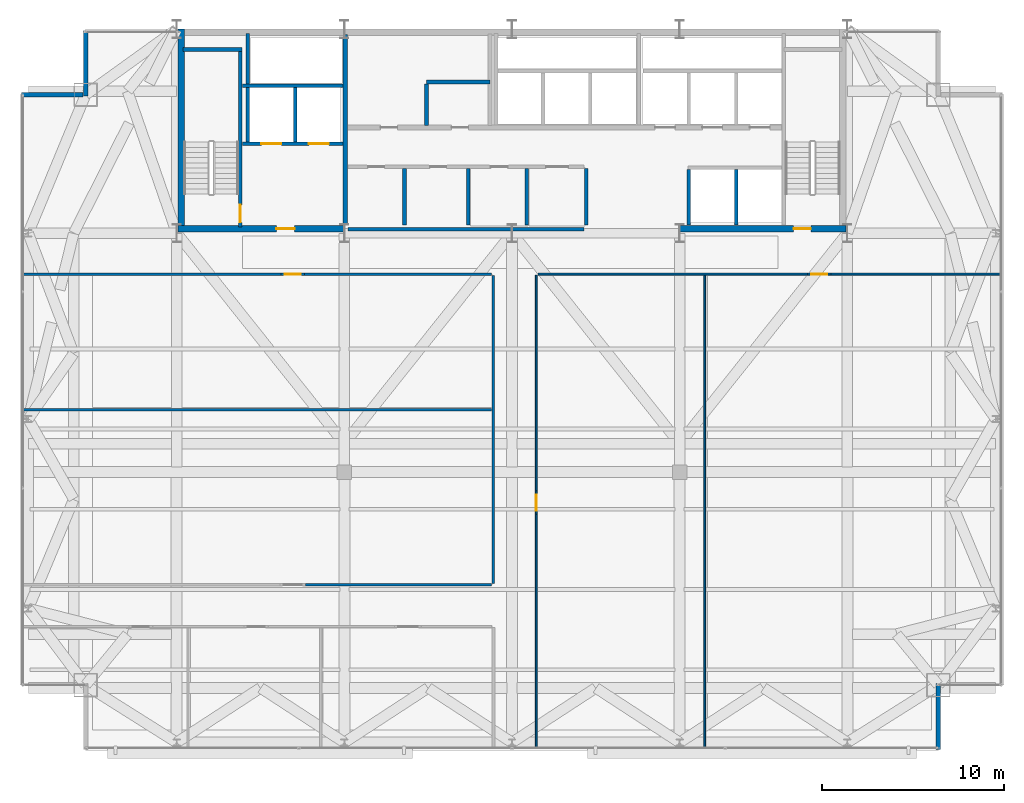
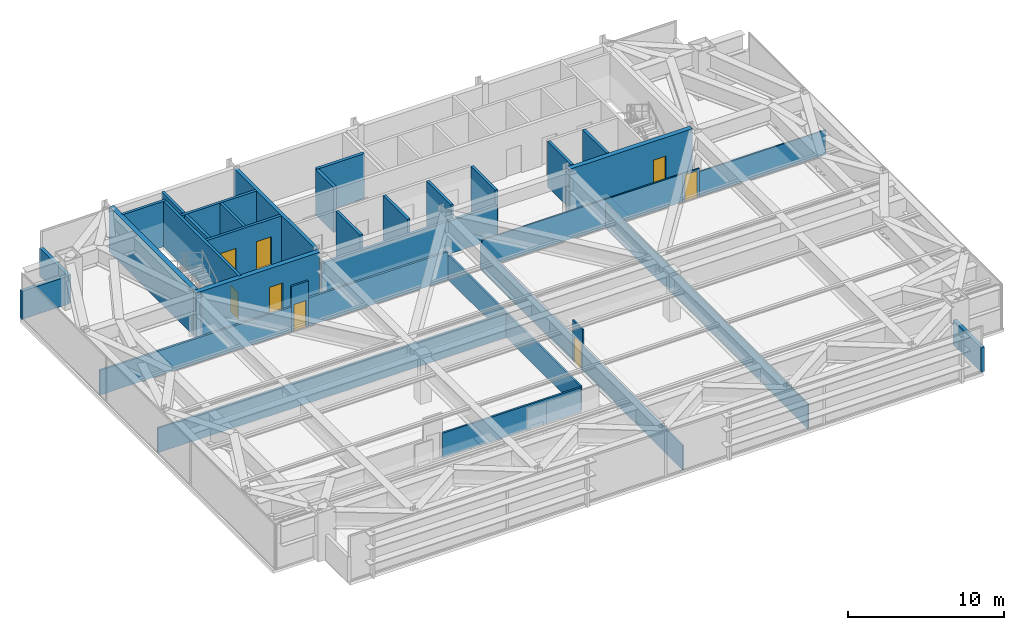
# One storey, part 23 of 26: 35 walls, 8 doors, 8 openings.
"""IFC4 building model written with IfcOpenShell, lengths in metres."""

from ifc_helpers import new_model, si_unit, direction, frame, frame_2d, origin, place, context, subcontext, project, spatial, rectangle, extrude, source, transform, mapped, material, layer, layer_set, type_object, type_shapes, element, fill, save


model = new_model("IFC4")

# Units and contexts
model_context = context("Model", 3, precision=1e-05, world=origin(), true_north=direction((0.0, 1.0)))
body_context = subcontext(model_context, "Body", "Model", "MODEL_VIEW")
ifc_project = project(units=[si_unit("LENGTHUNIT", "METRE"), si_unit("AREAUNIT", "SQUARE_METRE"), si_unit("VOLUMEUNIT", "CUBIC_METRE"), si_unit("PLANEANGLEUNIT", "RADIAN"), si_unit("MASSUNIT", "GRAM", prefix="KILO")], contexts=[model_context])

# Site, building, storey
site_placement = place(None, origin())
site = spatial("IfcSite", under=ifc_project, at=site_placement, CompositionType="ELEMENT")
building_placement = place(site_placement, origin())
building = spatial("IfcBuilding", under=site, at=building_placement, Name="Varnel Quay Broadcast Tower", CompositionType="ELEMENT")
storey_placement = place(building_placement, frame((0.0, 0.0, 196.0)))
storey = spatial("IfcBuildingStorey", under=building, at=storey_placement, Name="L48", CompositionType="ELEMENT", Elevation=196.0)

# Wall, opening, door
ifc_material_1 = material(Name="Concrete CSA A23.3 C50/60", Category="concrete")
ifc_layer_1 = layer(ifc_material_1, 0.199951171875, Name="Concrete CSA A23.3 C50/60")
ifc_layer_set_1 = layer_set([ifc_layer_1], Name="Concrete CSA A23.3 C50/60")
wall_type_1 = type_object("IfcWallType", Name="Wall_CoreShaftShear200", PredefinedType="SHEAR", material=ifc_layer_set_1)
wall_1_placement = place(storey_placement, frame((19.080078125, 35.949951171875, 0.0), z_axis=(0.0, 0.0, 1.0), x_axis=(0.0, 1.0, 0.0)))
wall_1 = element("IfcWall", 1, at=wall_1_placement, inside=storey, type_object=wall_type_1, Name="L48 Stair 1 East Structural Wall", PredefinedType="SHEAR", context=body_context, shape_type="SweptSolid", body=[
    extrude(rectangle(XDim=9.650146484375, YDim=0.199951171875, at=frame_2d((4.8251953125, 0.0))), origin(), (0.0, 0.0, 1.0), 3.550048828125),
])
opening_1_placement = place(wall_1_placement, frame((0.25, 0.0, 0.0)))
opening_1 = element("IfcOpeningElement", 2, at=opening_1_placement, cuts=wall_1, Name="Opening D-L48-S1", PredefinedType="OPENING", context=body_context, shape_type="SweptSolid", body=[
    extrude(rectangle(XDim=0.949951171875, YDim=2.10009765625, at=frame_2d((0.47509765625, 1.050048828125))), frame((0.0, 0.10986328125, 0.0), z_axis=(0.0, -1.0, 0.0), x_axis=(1.0, 0.0, 0.0)), (0.0, 0.0, 1.0), 0.219970703125),
])
ifc_material_2 = material(Name="Insulated Fire-Rated Hollow Steel Door", Category="steel")
door_type_1 = type_object("IfcDoorType", Name="Door_FireStair950", OperationType="NOTDEFINED", PredefinedType="DOOR", material=ifc_material_2)
shared_shape_1 = source(origin(), body_context, "Body", "SweptSolid", [
    extrude(rectangle(XDim=0.949951171875, YDim=2.10009765625, at=frame_2d((0.47509765625, 1.050048828125))), frame((0.0, 0.02490234375, 0.0), z_axis=(0.0, -1.0, 0.0), x_axis=(1.0, 0.0, 0.0)), (0.0, 0.0, 1.0), 0.050048828125),
])
type_shapes(door_type_1, [shared_shape_1])
door_1_placement = place(opening_1_placement, origin())
door_1 = element("IfcDoor", 3, at=door_1_placement, inside=storey, type_object=door_type_1, Name="L48 Stair 1 Fire Door", OperationType="SINGLE_SWING_LEFT", OverallHeight=2.10009765625, OverallWidth=0.949951171875, PredefinedType="DOOR", context=body_context, shape_type="MappedRepresentation", body=[
    mapped(shared_shape_1, transform((0.0, 0.0, 0.0), x_axis=(1.0, 0.0, 0.0), y_axis=(0.0, 1.0, 0.0), z_axis=(0.0, 0.0, 1.0), scale=1.0)),
])
fill(opening_1, door_1)

# Wall
wall_2_placement = place(storey_placement, frame((15.949951171875, 45.679931640625, 0.0), z_axis=(0.0, 0.0, 1.0), x_axis=(1.0, 0.0, 0.0)))
element("IfcWall", 4, at=wall_2_placement, inside=storey, type_object=wall_type_1, Name="L48 Stair 1 North Structural Wall", PredefinedType="SHEAR", context=body_context, shape_type="SweptSolid", body=[
    extrude(rectangle(XDim=3.22998046875, YDim=0.199951171875, at=frame_2d((1.614990234375, 0.0))), origin(), (0.0, 0.0, 1.0), 3.550048828125),
])

# Wall, openings, doors
wall_3_placement = place(storey_placement, frame((19.199951171875, 40.5, 0.0), z_axis=(0.0, 0.0, 1.0), x_axis=(1.0, 0.0, 0.0)))
wall_3 = element("IfcWall", 5, at=wall_3_placement, inside=storey, type_object=wall_type_1, Name="L48 Firefighter Lift Shaft Front Wall", PredefinedType="SHEAR", context=body_context, shape_type="SweptSolid", body=[
    extrude(rectangle(XDim=5.52001953125, YDim=0.199951171875, at=frame_2d((2.760009765625, 0.0))), origin(), (0.0, 0.0, 1.0), 3.550048828125),
])
opening_2_placement = place(wall_3_placement, frame((1.050048828125, 0.0, 0.0)))
opening_2 = element("IfcOpeningElement", 6, at=opening_2_placement, cuts=wall_3, Name="Opening LD-L48-FE1", PredefinedType="OPENING", context=body_context, shape_type="SweptSolid", body=[
    extrude(rectangle(XDim=1.10009765625, YDim=2.179931640625, at=frame_2d((0.550048828125, 1.08984375))), frame((0.0, 0.10986328125, 0.0), z_axis=(0.0, -1.0, 0.0), x_axis=(1.0, 0.0, 0.0)), (0.0, 0.0, 1.0), 0.219970703125),
])
opening_3_placement = place(wall_3_placement, frame((3.64990234375, 0.0, 0.0)))
opening_3 = element("IfcOpeningElement", 7, at=opening_3_placement, cuts=wall_3, Name="Opening LD-L48-FE2", PredefinedType="OPENING", context=body_context, shape_type="SweptSolid", body=[
    extrude(rectangle(XDim=1.10009765625, YDim=2.179931640625, at=frame_2d((0.550048828125, 1.08984375))), frame((0.0, 0.10986328125, 0.0), z_axis=(0.0, -1.0, 0.0), x_axis=(1.0, 0.0, 0.0)), (0.0, 0.0, 1.0), 0.219970703125),
])
ifc_material_3 = material(Name="Brushed Bronze-Stainless Lift Car & Sliding Doors", Category="steel")
door_type_2 = type_object("IfcDoorType", Name="Door_LiftLanding1100", OperationType="SLIDING_TO_LEFT", PredefinedType="DOOR", material=ifc_material_3)
shared_shape_2 = source(origin(), body_context, "Body", "SweptSolid", [
    extrude(rectangle(XDim=1.10009765625, YDim=2.179931640625, at=frame_2d((0.550048828125, 1.08984375))), frame((0.0, 0.02490234375, 0.0), z_axis=(0.0, -1.0, 0.0), x_axis=(1.0, 0.0, 0.0)), (0.0, 0.0, 1.0), 0.050048828125),
])
type_shapes(door_type_2, [shared_shape_2])
door_2_placement = place(opening_2_placement, frame((1.10009765625, 0.0, 0.0), z_axis=(0.0, 0.0, 1.0), x_axis=(-1.0, 0.0, 0.0)))
door_2 = element("IfcDoor", 8, at=door_2_placement, inside=storey, type_object=door_type_2, Name="L48 Firefighter Lift FE-01 Landing Door", OperationType="SLIDING_TO_LEFT", OverallHeight=2.179931640625, OverallWidth=1.10009765625, PredefinedType="DOOR", context=body_context, shape_type="MappedRepresentation", body=[
    mapped(shared_shape_2, transform((0.0, 0.0, 0.0), x_axis=(1.0, 0.0, 0.0), y_axis=(0.0, 1.0, 0.0), z_axis=(0.0, 0.0, 1.0), scale=1.0)),
])
fill(opening_2, door_2)
door_3_placement = place(opening_3_placement, frame((1.10009765625, 0.0, 0.0), z_axis=(0.0, 0.0, 1.0), x_axis=(-1.0, 0.0, 0.0)))
door_3 = element("IfcDoor", 9, at=door_3_placement, inside=storey, type_object=door_type_2, Name="L48 Firefighter Lift FE-02 Landing Door", OperationType="SLIDING_TO_RIGHT", OverallHeight=2.179931640625, OverallWidth=1.10009765625, PredefinedType="DOOR", context=body_context, shape_type="MappedRepresentation", body=[
    mapped(shared_shape_2, transform((0.0, 0.0, 0.0), x_axis=(1.0, 0.0, 0.0), y_axis=(0.0, 1.0, 0.0), z_axis=(0.0, 0.0, 1.0), scale=1.0)),
])
fill(opening_3, door_3)

# Walls
wall_4_placement = place(storey_placement, frame((19.199951171875, 43.699951171875, 0.0), z_axis=(0.0, 0.0, 1.0), x_axis=(1.0, 0.0, 0.0)))
element("IfcWall", 10, at=wall_4_placement, inside=storey, type_object=wall_type_1, Name="L48 Firefighter Lift Shaft Rear Wall", PredefinedType="SHEAR", context=body_context, shape_type="SweptSolid", body=[
    extrude(rectangle(XDim=5.52001953125, YDim=0.199951171875, at=frame_2d((2.760009765625, 0.0))), origin(), (0.0, 0.0, 1.0), 3.550048828125),
])
wall_5_placement = place(storey_placement, frame((22.10009765625, 40.60009765625, 0.0), z_axis=(0.0, 0.0, 1.0), x_axis=(0.0, 1.0, 0.0)))
element("IfcWall", 11, at=wall_5_placement, inside=storey, type_object=wall_type_1, Name="L48 Firefighter Lift Shaft Divider", PredefinedType="SHEAR", context=body_context, shape_type="SweptSolid", body=[
    extrude(rectangle(XDim=3.0, YDim=0.199951171875, at=frame_2d((1.5, 0.0))), origin(), (0.0, 0.0, 1.0), 3.550048828125),
])
wall_6_placement = place(storey_placement, frame((19.5, 40.60009765625, 0.0), z_axis=(0.0, 0.0, 1.0), x_axis=(0.0, 1.0, 0.0)))
element("IfcWall", 12, at=wall_6_placement, inside=storey, type_object=wall_type_1, Name="L48 Firefighter Lift Shaft West Wall", PredefinedType="SHEAR", context=body_context, shape_type="SweptSolid", body=[
    extrude(rectangle(XDim=5.949951171875, YDim=0.199951171875, at=frame_2d((2.97509765625, 0.0))), origin(), (0.0, 0.0, 1.0), 3.550048828125),
])
for number, where, z_axis, x_axis, name in (
    (13, (43.699951171875, 36.050048828125, 0.0), (0.0, 0.0, 1.0), (0.0, 1.0, 0.0), "L48 Express Lift Shaft West Wall"),
    (14, (46.300048828125, 36.050048828125, 0.0), (0.0, 0.0, 1.0), (0.0, 1.0, 0.0), "L48 Express Lift Shaft Divider"),
):
    element("IfcWall", number, at=place(storey_placement, frame(where, z_axis=z_axis, x_axis=x_axis)), inside=storey, type_object=wall_type_1, Name=name, PredefinedType="SHEAR", context=body_context, shape_type="SweptSolid", body=[
        extrude(rectangle(XDim=3.050048828125, YDim=0.199951171875, at=frame_2d((1.52490234375, 0.0))), origin(), (0.0, 0.0, 1.0), 3.550048828125),
    ])
ifc_layer_2 = layer(ifc_material_1, 0.25, Name="Concrete CSA A23.3 C50/60")
ifc_layer_set_2 = layer_set([ifc_layer_2], Name="Concrete CSA A23.3 C50/60")
wall_type_2 = type_object("IfcWallType", Name="Wall_CoreShaftShear250", PredefinedType="SHEAR", material=ifc_layer_set_2)
wall_7_placement = place(storey_placement, frame((24.85009765625, 36.050048828125, 0.0), z_axis=(0.0, 0.0, 1.0), x_axis=(0.0, 1.0, 0.0)))
element("IfcWall", 15, at=wall_7_placement, inside=storey, type_object=wall_type_2, Name="L48 Firefighting Lobby East Structural Wall", PredefinedType="SHEAR", context=body_context, shape_type="SweptSolid", body=[
    extrude(rectangle(XDim=10.449951171875, YDim=0.25, at=frame_2d((5.22509765625, 0.0))), origin(), (0.0, 0.0, 1.0), 3.550048828125),
])
ifc_layer_3 = layer(ifc_material_1, 0.35009765625, Name="Concrete CSA A23.3 C50/60")
ifc_layer_set_3 = layer_set([ifc_layer_3], Name="Concrete CSA A23.3 C50/60")
wall_type_3 = type_object("IfcWallType", Name="Wall_CoreShearInt350", PredefinedType="SHEAR", material=ifc_layer_set_3)
wall_8_placement = place(storey_placement, frame((15.844970703125, 35.669921875, 0.0), z_axis=(0.0, 0.0, 1.0), x_axis=(0.0, 1.0, 0.0)))
element("IfcWall", 16, at=wall_8_placement, inside=storey, type_object=wall_type_3, Name="L48 West Core Shear Wall", PredefinedType="SHEAR", context=body_context, shape_type="SweptSolid", body=[
    extrude(rectangle(XDim=11.130126953125, YDim=0.35009765625, at=frame_2d((5.56494140625, 0.0))), origin(), (0.0, 0.0, 1.0), 3.550048828125),
])

# Wall, opening, door
wall_9_placement = place(storey_placement, frame((15.669921875, 35.844970703125, 0.0), z_axis=(0.0, 0.0, 1.0), x_axis=(1.0, 0.0, 0.0)))
wall_9 = element("IfcWall", 17, at=wall_9_placement, inside=storey, type_object=wall_type_3, Name="L48 South-West Core Shear Wall", PredefinedType="SHEAR", context=body_context, shape_type="SweptSolid", body=[
    extrude(rectangle(XDim=9.130126953125, YDim=0.35009765625, at=frame_2d((4.56494140625, 0.0))), origin(), (0.0, 0.0, 1.0), 3.550048828125),
])
opening_4_placement = place(wall_9_placement, frame((5.39990234375, 0.0, 0.0)))
opening_4 = element("IfcOpeningElement", 18, at=opening_4_placement, cuts=wall_9, Name="Opening D-L48-FFL", PredefinedType="OPENING", context=body_context, shape_type="SweptSolid", body=[
    extrude(rectangle(XDim=1.0, YDim=2.10009765625, at=frame_2d((0.5, 1.050048828125))), frame((0.0, 0.18505859375, 0.0), z_axis=(0.0, -1.0, 0.0), x_axis=(1.0, 0.0, 0.0)), (0.0, 0.0, 1.0), 0.3701171875),
])
door_type_3 = type_object("IfcDoorType", Name="Door_FireLobby1000", OperationType="NOTDEFINED", PredefinedType="DOOR", material=ifc_material_2)
shared_shape_3 = source(origin(), body_context, "Body", "SweptSolid", [
    extrude(rectangle(XDim=1.0, YDim=2.10009765625, at=frame_2d((0.5, 1.050048828125))), frame((0.0, 0.02490234375, 0.0), z_axis=(0.0, -1.0, 0.0), x_axis=(1.0, 0.0, 0.0)), (0.0, 0.0, 1.0), 0.050048828125),
])
type_shapes(door_type_3, [shared_shape_3])
door_4_placement = place(opening_4_placement, origin())
door_4 = element("IfcDoor", 19, at=door_4_placement, inside=storey, type_object=door_type_3, Name="L48 Firefighting Lobby Door", OperationType="SINGLE_SWING_RIGHT", OverallHeight=2.10009765625, OverallWidth=1.0, PredefinedType="DOOR", context=body_context, shape_type="MappedRepresentation", body=[
    mapped(shared_shape_3, transform((0.0, 0.0, 0.0), x_axis=(1.0, 0.0, 0.0), y_axis=(0.0, 1.0, 0.0), z_axis=(0.0, 0.0, 1.0), scale=1.0)),
])
fill(opening_4, door_4)

wall_10_placement = place(storey_placement, frame((43.199951171875, 35.844970703125, 0.0), z_axis=(0.0, 0.0, 1.0), x_axis=(1.0, 0.0, 0.0)))
wall_10 = element("IfcWall", 20, at=wall_10_placement, inside=storey, type_object=wall_type_3, Name="L48 South-East Core Shear Wall", PredefinedType="SHEAR", context=body_context, shape_type="SweptSolid", body=[
    extrude(rectangle(XDim=9.130126953125, YDim=0.35009765625, at=frame_2d((4.56494140625, 0.0))), origin(), (0.0, 0.0, 1.0), 3.550048828125),
])
opening_5_placement = place(wall_10_placement, frame((6.25, 0.0, 0.0)))
opening_5 = element("IfcOpeningElement", 21, at=opening_5_placement, cuts=wall_10, Name="Opening D-L48-S2", PredefinedType="OPENING", context=body_context, shape_type="SweptSolid", body=[
    extrude(rectangle(XDim=0.949951171875, YDim=2.10009765625, at=frame_2d((0.47509765625, 1.050048828125))), frame((0.0, 0.18505859375, 0.0), z_axis=(0.0, -1.0, 0.0), x_axis=(1.0, 0.0, 0.0)), (0.0, 0.0, 1.0), 0.3701171875),
])
door_5_placement = place(opening_5_placement, origin())
door_5 = element("IfcDoor", 22, at=door_5_placement, inside=storey, type_object=door_type_1, Name="L48 Stair 2 Fire Door", OperationType="SINGLE_SWING_LEFT", OverallHeight=2.10009765625, OverallWidth=0.949951171875, PredefinedType="DOOR", context=body_context, shape_type="MappedRepresentation", body=[
    mapped(shared_shape_1, transform((0.0, 0.0, 0.0), x_axis=(1.0, 0.0, 0.0), y_axis=(0.0, 1.0, 0.0), z_axis=(0.0, 0.0, 1.0), scale=1.0)),
])
fill(opening_5, door_5)

# Walls
ifc_material_4 = material(Name="Precast Architectural Concrete C40/50", Category="concrete")
ifc_layer_4 = layer(ifc_material_4, 0.25, Name="Precast Architectural Concrete C40/50")
ifc_layer_set_4 = layer_set([ifc_layer_4], Name="Precast Architectural Concrete C40/50")
wall_type_4 = type_object("IfcWallType", Name="Wall_ExtTerrace250", PredefinedType="SOLIDWALL", material=ifc_layer_set_4)
wall_11_placement = place(storey_placement, frame((57.39990234375, 7.280029296875, 0.0), z_axis=(0.0, 0.0, 1.0), x_axis=(0.0, 1.0, 0.0)))
element("IfcWall", 23, at=wall_11_placement, inside=storey, type_object=wall_type_4, Name="L48 Mega-Column Notch Cladding Wall NSE2", PredefinedType="SOLIDWALL", context=body_context, shape_type="SweptSolid", body=[
    extrude(rectangle(XDim=3.599853515625, YDim=0.25, at=frame_2d((1.7998046875, 0.0))), origin(), (0.0, 0.0, 1.0), 1.925048828125),
])
wall_12_placement = place(storey_placement, frame((7.080078125, 43.199951171875, 0.0), z_axis=(0.0, 0.0, 1.0), x_axis=(1.0, 0.0, 0.0)))
element("IfcWall", 24, at=wall_12_placement, inside=storey, type_object=wall_type_4, Name="L48 Mega-Column Notch Cladding Wall NNW1", PredefinedType="SOLIDWALL", context=body_context, shape_type="SweptSolid", body=[
    extrude(rectangle(XDim=3.389892578125, YDim=0.25, at=frame_2d((1.69482421875, 0.0))), origin(), (0.0, 0.0, 1.0), 2.195068359375),
])
wall_13_placement = place(storey_placement, frame((10.60009765625, 43.1201171875, 0.0), z_axis=(0.0, 0.0, 1.0), x_axis=(0.0, 1.0, 0.0)))
element("IfcWall", 25, at=wall_13_placement, inside=storey, type_object=wall_type_4, Name="L48 Mega-Column Notch Cladding Wall NNW2", PredefinedType="SOLIDWALL", context=body_context, shape_type="SweptSolid", body=[
    extrude(rectangle(XDim=3.599853515625, YDim=0.25, at=frame_2d((1.7998046875, 0.0))), origin(), (0.0, 0.0, 1.0), 2.195068359375),
])
ifc_material_5 = material(Name="Concrete Blockwork Fire Enclosure C40/50", Category="masonry")
ifc_layer_5 = layer(ifc_material_5, 0.199951171875, Name="Concrete Blockwork Fire Enclosure C40/50")
ifc_layer_set_5 = layer_set([ifc_layer_5], Name="Concrete Blockwork Fire Enclosure C40/50")
wall_type_5 = type_object("IfcWallType", Name="Wall_FireShaft200", PredefinedType="SOLIDWALL", material=ifc_layer_set_5)
wall_14_placement = place(storey_placement, frame((25.0, 35.824951171875, 0.0), z_axis=(0.0, 0.0, 1.0), x_axis=(1.0, 0.0, 0.0)))
element("IfcWall", 26, at=wall_14_placement, inside=storey, type_object=wall_type_5, Name="L48 Accessible Universal Washroom Partition 1", PredefinedType="SOLIDWALL", context=body_context, shape_type="SweptSolid", body=[
    extrude(rectangle(XDim=12.949951171875, YDim=0.199951171875, at=frame_2d((6.47509765625, 0.0))), origin(), (0.0, 0.0, 1.0), 2.574951171875),
])
for number, where, z_axis, x_axis, name in (
    (27, (34.800048828125, 36.050048828125, 0.0), (0.0, 0.0, 1.0), (0.0, 1.0, 0.0), "L48 Broadcast First-Aid & Quiet Room Partition 5"),
    (28, (38.074951171875, 36.050048828125, 0.0), (0.0, 0.0, 1.0), (0.0, 1.0, 0.0), "L48 Zone Lighting Dimmer Room Partition 6"),
):
    element("IfcWall", number, at=place(storey_placement, frame(where, z_axis=z_axis, x_axis=x_axis)), inside=storey, type_object=wall_type_5, Name=name, PredefinedType="SOLIDWALL", context=body_context, shape_type="SweptSolid", body=[
        extrude(rectangle(XDim=3.099853515625, YDim=0.199951171875, at=frame_2d((1.5498046875, 0.0))), origin(), (0.0, 0.0, 1.0), 3.530029296875),
    ])
ifc_material_6 = material(Name="Steel-Stud Fire-Rated Acoustic Gypsum Partition Assembly", Category="steel")
ifc_layer_6 = layer(ifc_material_6, 0.10498046875, Name="Steel-Stud Fire-Rated Acoustic Gypsum Partition Assembly")
ifc_layer_set_6 = layer_set([ifc_layer_6], Name="Steel-Stud Fire-Rated Acoustic Gypsum Partition Assembly")
wall_type_6 = type_object("IfcWallType", Name="Wall_Partition105", PredefinedType="PARTITIONING", material=ifc_layer_set_6)
wall_15_placement = place(storey_placement, frame((44.580078125, 7.3798828125, 0.0), z_axis=(0.0, 0.0, 1.0), x_axis=(0.0, 1.0, 0.0)))
element("IfcWall", 29, at=wall_15_placement, inside=storey, type_object=wall_type_6, Name="L48 Media Tape Archive Store 6 Partition 25", PredefinedType="PARTITIONING", context=body_context, shape_type="SweptSolid", body=[
    extrude(rectangle(XDim=25.917236328125, YDim=0.10498046875, at=frame_2d((12.95849609375, 0.0))), origin(), (0.0, 0.0, 1.0), 1.925048828125),
])
wall_16_placement = place(storey_placement, frame((35.429931640625, 33.35009765625, 0.0), z_axis=(0.0, 0.0, 1.0), x_axis=(1.0, 0.0, 0.0)))
element("IfcWall", 30, at=wall_16_placement, inside=storey, type_object=wall_type_6, Name="L48 Media Tape Archive Store 6 Partition 26", PredefinedType="PARTITIONING", context=body_context, shape_type="SweptSolid", body=[
    extrude(rectangle(XDim=14.795166015625, YDim=0.10498046875, at=frame_2d((7.3974609375, 0.0))), origin(), (0.0, 0.0, 1.0), 2.195068359375),
])

# Wall, opening, door
wall_17_placement = place(storey_placement, frame((50.22509765625, 33.35009765625, 0.0), z_axis=(0.0, 0.0, 1.0), x_axis=(1.0, 0.0, 0.0)))
wall_17 = element("IfcWall", 31, at=wall_17_placement, inside=storey, type_object=wall_type_6, Name="L48 Lens & Rigging Store 7 Door Partition 27", PredefinedType="PARTITIONING", context=body_context, shape_type="SweptSolid", body=[
    extrude(rectangle(XDim=1.27978515625, YDim=0.10498046875, at=frame_2d((0.639892578125, 0.0))), origin(), (0.0, 0.0, 1.0), 2.195068359375),
])
opening_6_placement = place(wall_17_placement, frame((0.199951171875, 0.0, 0.0)))
opening_6 = element("IfcOpeningElement", 32, at=opening_6_placement, cuts=wall_17, Name="Opening D-L48-11", PredefinedType="OPENING", context=body_context, shape_type="SweptSolid", body=[
    extrude(rectangle(XDim=0.8798828125, YDim=2.06005859375, at=frame_2d((0.43994140625, 1.030029296875))), frame((0.0, 0.0625, 0.0), z_axis=(0.0, -1.0, 0.0), x_axis=(1.0, 0.0, 0.0)), (0.0, 0.0, 1.0), 0.125),
])
ifc_material_7 = material(Name="Solid-Core Fire-Rated Acoustic Oak Veneer Door", Category="wood")
door_type_4 = type_object("IfcDoorType", Name="Door_Booth880", OperationType="NOTDEFINED", PredefinedType="DOOR", material=ifc_material_7)
shared_shape_4 = source(origin(), body_context, "Body", "SweptSolid", [
    extrude(rectangle(XDim=0.8798828125, YDim=2.06005859375, at=frame_2d((0.43994140625, 1.030029296875))), frame((0.0, 0.02490234375, 0.0), z_axis=(0.0, -1.0, 0.0), x_axis=(1.0, 0.0, 0.0)), (0.0, 0.0, 1.0), 0.050048828125),
])
type_shapes(door_type_4, [shared_shape_4])
door_6_placement = place(opening_6_placement, frame((0.8798828125, 0.0, 0.0), z_axis=(0.0, 0.0, 1.0), x_axis=(-1.0, 0.0, 0.0)))
door_6 = element("IfcDoor", 33, at=door_6_placement, inside=storey, type_object=door_type_4, Name="L48 Lens & Rigging Store 7 Door D-L48-11", OperationType="SINGLE_SWING_RIGHT", OverallHeight=2.06005859375, OverallWidth=0.8798828125, PredefinedType="DOOR", context=body_context, shape_type="MappedRepresentation", body=[
    mapped(shared_shape_4, transform((0.0, 0.0, 0.0), x_axis=(1.0, 0.0, 0.0), y_axis=(0.0, 1.0, 0.0), z_axis=(0.0, 0.0, 1.0), scale=1.0)),
])
fill(opening_6, door_6)

# Walls
wall_18_placement = place(storey_placement, frame((51.5048828125, 33.35009765625, 0.0), z_axis=(0.0, 0.0, 1.0), x_axis=(1.0, 0.0, 0.0)))
element("IfcWall", 34, at=wall_18_placement, inside=storey, type_object=wall_type_6, Name="L48 Media Tape Archive Store 6 Partition 28", PredefinedType="PARTITIONING", context=body_context, shape_type="SweptSolid", body=[
    extrude(rectangle(XDim=9.315185546875, YDim=0.10498046875, at=frame_2d((4.65771484375, 0.0))), origin(), (0.0, 0.0, 1.0), 1.925048828125),
])
wall_19_placement = place(storey_placement, frame((35.330078125, 7.3798828125, 0.0), z_axis=(0.0, 0.0, 1.0), x_axis=(0.0, 1.0, 0.0)))
element("IfcWall", 35, at=wall_19_placement, inside=storey, type_object=wall_type_6, Name="L48 Media Tape Archive Store 6 Partition 29", PredefinedType="PARTITIONING", context=body_context, shape_type="SweptSolid", body=[
    extrude(rectangle(XDim=12.800048828125, YDim=0.10498046875, at=frame_2d((6.39990234375, 0.0))), origin(), (0.0, 0.0, 1.0), 1.925048828125),
])

# Wall, opening, door
wall_20_placement = place(storey_placement, frame((35.330078125, 20.179931640625, 0.0), z_axis=(0.0, 0.0, 1.0), x_axis=(0.0, 1.0, 0.0)))
wall_20 = element("IfcWall", 36, at=wall_20_placement, inside=storey, type_object=wall_type_6, Name="L48 Media Tape Archive Store 6 Door Partition 30", PredefinedType="PARTITIONING", context=body_context, shape_type="SweptSolid", body=[
    extrude(rectangle(XDim=1.280029296875, YDim=0.10498046875, at=frame_2d((0.64013671875, 0.0))), origin(), (0.0, 0.0, 1.0), 3.221923828125),
])
opening_7_placement = place(wall_20_placement, frame((0.199951171875, 0.0, 0.0)))
opening_7 = element("IfcOpeningElement", 37, at=opening_7_placement, cuts=wall_20, Name="Opening D-L48-10", PredefinedType="OPENING", context=body_context, shape_type="SweptSolid", body=[
    extrude(rectangle(XDim=0.8798828125, YDim=2.06005859375, at=frame_2d((0.43994140625, 1.030029296875))), frame((0.0, 0.0625, 0.0), z_axis=(0.0, -1.0, 0.0), x_axis=(1.0, 0.0, 0.0)), (0.0, 0.0, 1.0), 0.125),
])
door_7_placement = place(opening_7_placement, frame((0.8798828125, 0.0, 0.0), z_axis=(0.0, 0.0, 1.0), x_axis=(-1.0, 0.0, 0.0)))
door_7 = element("IfcDoor", 38, at=door_7_placement, inside=storey, type_object=door_type_4, Name="L48 Media Tape Archive Store 6 Door D-L48-10", OperationType="SINGLE_SWING_LEFT", OverallHeight=2.06005859375, OverallWidth=0.8798828125, PredefinedType="DOOR", context=body_context, shape_type="MappedRepresentation", body=[
    mapped(shared_shape_4, transform((0.0, 0.0, 0.0), x_axis=(1.0, 0.0, 0.0), y_axis=(0.0, 1.0, 0.0), z_axis=(0.0, 0.0, 1.0), scale=1.0)),
])
fill(opening_7, door_7)

# Walls
wall_21_placement = place(storey_placement, frame((35.330078125, 21.4599609375, 0.0), z_axis=(0.0, 0.0, 1.0), x_axis=(0.0, 1.0, 0.0)))
element("IfcWall", 39, at=wall_21_placement, inside=storey, type_object=wall_type_6, Name="L48 Media Tape Archive Store 6 Partition 31", PredefinedType="PARTITIONING", context=body_context, shape_type="SweptSolid", body=[
    extrude(rectangle(XDim=11.837158203125, YDim=0.10498046875, at=frame_2d((5.91845703125, 0.0))), origin(), (0.0, 0.0, 1.0), 1.925048828125),
])
ifc_layer_7 = layer(ifc_material_6, 0.139892578125, Name="Steel-Stud Fire-Rated Acoustic Gypsum Partition Assembly")
ifc_layer_set_7 = layer_set([ifc_layer_7], Name="Steel-Stud Fire-Rated Acoustic Gypsum Partition Assembly")
wall_type_7 = type_object("IfcWallType", Name="Wall_Partition140", PredefinedType="PARTITIONING", material=ifc_layer_set_7)
wall_22_placement = place(storey_placement, frame((22.6650390625, 16.31005859375, 0.0), z_axis=(0.0, 0.0, 1.0), x_axis=(1.0, 0.0, 0.0)))
element("IfcWall", 40, at=wall_22_placement, inside=storey, type_object=wall_type_7, Name="L48 Producer Lounge 4 Partition 19", PredefinedType="PARTITIONING", context=body_context, shape_type="SweptSolid", body=[
    extrude(rectangle(XDim=10.21484375, YDim=0.139892578125, at=frame_2d((5.107421875, 0.0))), origin(), (0.0, 0.0, 1.0), 1.925048828125),
])
wall_23_placement = place(storey_placement, frame((32.97998046875, 16.3798828125, 0.0), z_axis=(0.0, 0.0, 1.0), x_axis=(0.0, 1.0, 0.0)))
element("IfcWall", 41, at=wall_23_placement, inside=storey, type_object=wall_type_7, Name="L48 Producer Lounge 4 Partition 20", PredefinedType="PARTITIONING", context=body_context, shape_type="SweptSolid", body=[
    extrude(rectangle(XDim=16.89501953125, YDim=0.139892578125, at=frame_2d((8.447509765625, 0.0))), origin(), (0.0, 0.0, 1.0), 1.925048828125),
])
wall_24_placement = place(storey_placement, frame((7.179931640625, 25.909912109375, 0.0), z_axis=(0.0, 0.0, 1.0), x_axis=(1.0, 0.0, 0.0)))
element("IfcWall", 42, at=wall_24_placement, inside=storey, type_object=wall_type_7, Name="L48 Producer Lounge 4 Partition 21", PredefinedType="PARTITIONING", context=body_context, shape_type="SweptSolid", body=[
    extrude(rectangle(XDim=25.699951171875, YDim=0.139892578125, at=frame_2d((12.85009765625, 0.0))), origin(), (0.0, 0.0, 1.0), 1.925048828125),
])
ifc_layer_8 = layer(ifc_material_6, 0.14990234375, Name="Steel-Stud Fire-Rated Acoustic Gypsum Partition Assembly")
ifc_layer_set_8 = layer_set([ifc_layer_8], Name="Steel-Stud Fire-Rated Acoustic Gypsum Partition Assembly")
wall_type_8 = type_object("IfcWallType", Name="Wall_Partition150", PredefinedType="PARTITIONING", material=ifc_layer_set_8)
wall_25_placement = place(storey_placement, frame((7.179931640625, 33.35009765625, 0.0), z_axis=(0.0, 0.0, 1.0), x_axis=(1.0, 0.0, 0.0)))
element("IfcWall", 43, at=wall_25_placement, inside=storey, type_object=wall_type_8, Name="L48 Tea Kitchen 5 Partition 22", PredefinedType="PARTITIONING", context=body_context, shape_type="SweptSolid", body=[
    extrude(rectangle(XDim=14.14501953125, YDim=0.14990234375, at=frame_2d((7.072509765625, 0.0))), origin(), (0.0, 0.0, 1.0), 1.925048828125),
])

# Wall, opening, door
wall_26_placement = place(storey_placement, frame((21.324951171875, 33.35009765625, 0.0), z_axis=(0.0, 0.0, 1.0), x_axis=(1.0, 0.0, 0.0)))
wall_26 = element("IfcWall", 44, at=wall_26_placement, inside=storey, type_object=wall_type_8, Name="L48 Tea Kitchen 5 Door Partition 23", PredefinedType="PARTITIONING", context=body_context, shape_type="SweptSolid", body=[
    extrude(rectangle(XDim=1.280029296875, YDim=0.14990234375, at=frame_2d((0.64013671875, 0.0))), origin(), (0.0, 0.0, 1.0), 3.530029296875),
])
opening_8_placement = place(wall_26_placement, frame((0.199951171875, 0.0, 0.0)))
opening_8 = element("IfcOpeningElement", 45, at=opening_8_placement, cuts=wall_26, Name="Opening D-L48-09", PredefinedType="OPENING", context=body_context, shape_type="SweptSolid", body=[
    extrude(rectangle(XDim=0.8798828125, YDim=2.06005859375, at=frame_2d((0.43994140625, 1.030029296875))), frame((0.0, 0.0849609375, 0.0), z_axis=(0.0, -1.0, 0.0), x_axis=(1.0, 0.0, 0.0)), (0.0, 0.0, 1.0), 0.169921875),
])
door_8_placement = place(opening_8_placement, frame((0.8798828125, 0.0, 0.0), z_axis=(0.0, 0.0, 1.0), x_axis=(-1.0, 0.0, 0.0)))
door_8 = element("IfcDoor", 46, at=door_8_placement, inside=storey, type_object=door_type_4, Name="L48 Tea Kitchen 5 Door D-L48-09", OperationType="SINGLE_SWING_RIGHT", OverallHeight=2.06005859375, OverallWidth=0.8798828125, PredefinedType="DOOR", context=body_context, shape_type="MappedRepresentation", body=[
    mapped(shared_shape_4, transform((0.0, 0.0, 0.0), x_axis=(1.0, 0.0, 0.0), y_axis=(0.0, 1.0, 0.0), z_axis=(0.0, 0.0, 1.0), scale=1.0)),
])
fill(opening_8, door_8)

# Walls
wall_27_placement = place(storey_placement, frame((22.60498046875, 33.35009765625, 0.0), z_axis=(0.0, 0.0, 1.0), x_axis=(1.0, 0.0, 0.0)))
element("IfcWall", 47, at=wall_27_placement, inside=storey, type_object=wall_type_8, Name="L48 Tea Kitchen 5 Partition 24", PredefinedType="PARTITIONING", context=body_context, shape_type="SweptSolid", body=[
    extrude(rectangle(XDim=10.27490234375, YDim=0.14990234375, at=frame_2d((5.137451171875, 0.0))), origin(), (0.0, 0.0, 1.0), 2.195068359375),
])
ifc_layer_9 = layer(ifc_material_6, 0.22509765625, Name="Steel-Stud Fire-Rated Acoustic Gypsum Partition Assembly")
ifc_layer_set_9 = layer_set([ifc_layer_9], Name="Steel-Stud Fire-Rated Acoustic Gypsum Partition Assembly")
wall_type_9 = type_object("IfcWallType", Name="Wall_Partition225", PredefinedType="PARTITIONING", material=ifc_layer_set_9)
wall_28_placement = place(storey_placement, frame((29.300048828125, 41.5, 0.0), z_axis=(0.0, 0.0, 1.0), x_axis=(0.0, 1.0, 0.0)))
element("IfcWall", 48, at=wall_28_placement, inside=storey, type_object=wall_type_9, Name="L48 Signal Routing Suite Partition 32", PredefinedType="PARTITIONING", context=body_context, shape_type="SweptSolid", body=[
    extrude(rectangle(XDim=2.2880859375, YDim=0.22509765625, at=frame_2d((1.14404296875, 0.0))), origin(), (0.0, 0.0, 1.0), 3.530029296875),
])
wall_29_placement = place(storey_placement, frame((29.300048828125, 43.89990234375, 0.0), z_axis=(0.0, 0.0, 1.0), x_axis=(1.0, 0.0, 0.0)))
element("IfcWall", 49, at=wall_29_placement, inside=storey, type_object=wall_type_9, Name="L48 Signal Routing Suite Partition 33", PredefinedType="PARTITIONING", context=body_context, shape_type="SweptSolid", body=[
    extrude(rectangle(XDim=3.5, YDim=0.22509765625, at=frame_2d((1.75, 0.0))), origin(), (0.0, 0.0, 1.0), 3.530029296875),
])
ifc_material_8 = material(Name="Fire-Rated Moisture-Resistant Plumbing Chase Partition")
ifc_layer_10 = layer(ifc_material_8, 0.199951171875, Name="Fire-Rated Moisture-Resistant Plumbing Chase Partition")
ifc_layer_set_10 = layer_set([ifc_layer_10], Name="Fire-Rated Moisture-Resistant Plumbing Chase Partition")
wall_type_10 = type_object("IfcWallType", Name="Wall_Plumbing200", PredefinedType="PLUMBINGWALL", material=ifc_layer_set_10)
for number, where, z_axis, x_axis, name in (
    (50, (28.10009765625, 36.050048828125, 0.0), (0.0, 0.0, 1.0), (0.0, 1.0, 0.0), "L48 Accessible Universal Washroom Partition 2"),
    (51, (31.60009765625, 36.050048828125, 0.0), (0.0, 0.0, 1.0), (0.0, 1.0, 0.0), "L48 Staff Washroom Block Partition 4"),
):
    element("IfcWall", number, at=place(storey_placement, frame(where, z_axis=z_axis, x_axis=x_axis)), inside=storey, type_object=wall_type_10, Name=name, PredefinedType="PLUMBINGWALL", context=body_context, shape_type="SweptSolid", body=[
        extrude(rectangle(XDim=3.099853515625, YDim=0.199951171875, at=frame_2d((1.5498046875, 0.0))), origin(), (0.0, 0.0, 1.0), 3.530029296875),
    ])

save(model, "model.ifc")
